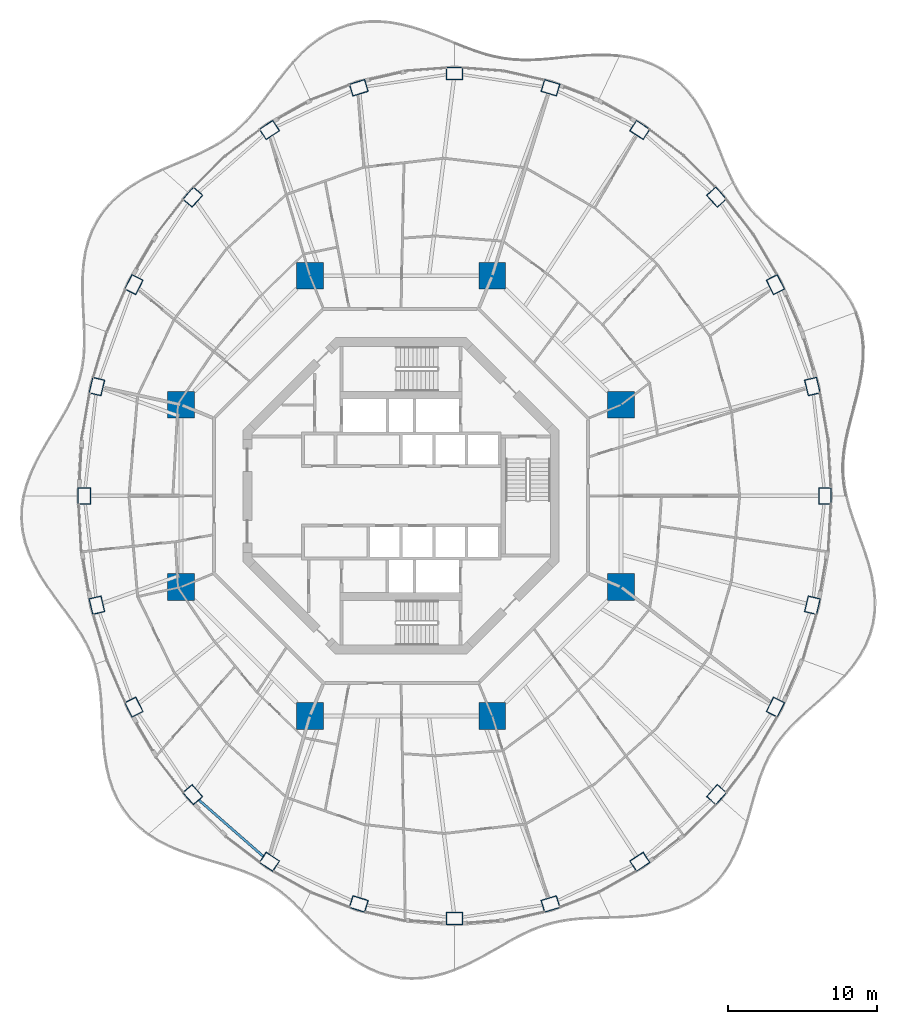
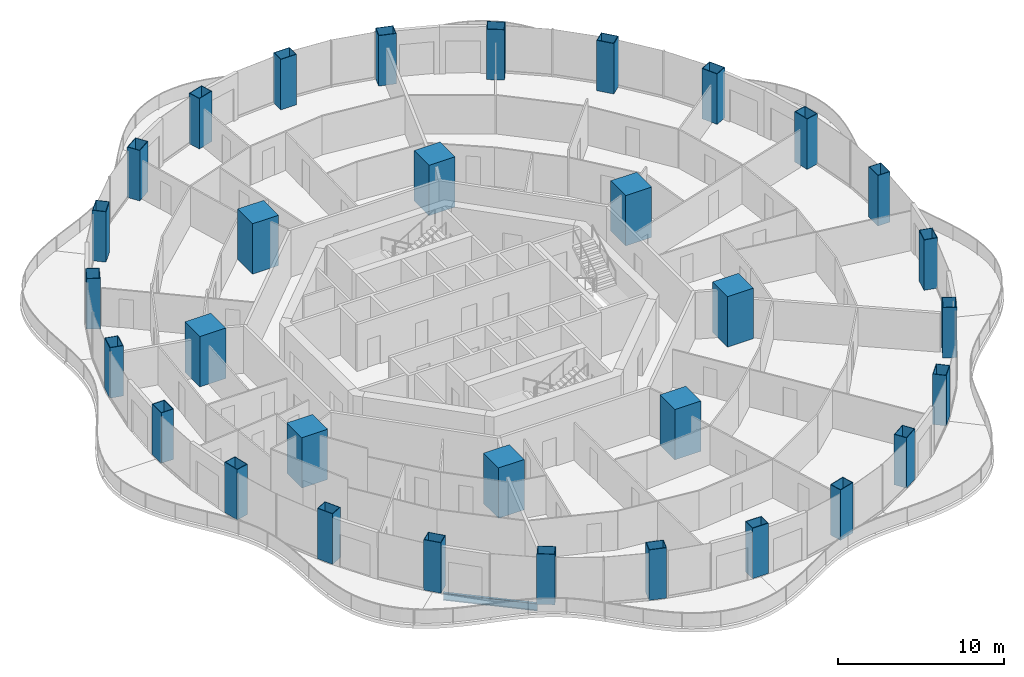
# One storey, part 1 of 19: 32 columns, 1 beam.
"""IFC4 building model written with IfcOpenShell, lengths in metres."""

from ifc_helpers import new_model, si_unit, direction, frame, origin, origin_2d, place, context, subcontext, project, spatial, rectangle, hollow_rectangle, i_section, extrude, material, material_profile, profile_set, type_object, element, save


model = new_model("IFC4")

# Units and contexts
model_context = context("Model", 3, precision=1e-05, world=origin(), true_north=direction((0.0, 1.0)))
body_context = subcontext(model_context, "Body", "Model", "MODEL_VIEW")
ifc_project = project(units=[si_unit("LENGTHUNIT", "METRE"), si_unit("AREAUNIT", "SQUARE_METRE"), si_unit("VOLUMEUNIT", "CUBIC_METRE"), si_unit("PLANEANGLEUNIT", "RADIAN"), si_unit("MASSUNIT", "GRAM", prefix="KILO")], contexts=[model_context])

# Site, building, storey
site_placement = place(None, origin())
site = spatial("IfcSite", under=ifc_project, at=site_placement, CompositionType="ELEMENT")
building_placement = place(site_placement, origin())
building = spatial("IfcBuilding", under=site, at=building_placement, Name="Nagisa Residences", CompositionType="ELEMENT")
storey_placement = place(building_placement, frame((0.0, 0.0, 173.300048828125)))
storey = spatial("IfcBuildingStorey", under=building, at=storey_placement, Name="L43", CompositionType="ELEMENT", Elevation=173.300048828125)

# Columns
ifc_material_1 = material(Name="Concrete C80", Category="concrete")
ifc_material_profile_1 = material_profile(ifc_material_1, rectangle(XDim=1.800048828125, YDim=1.800048828125, at=origin_2d()), Name="C80 1800x1800")
ifc_profile_set_1 = profile_set([ifc_material_profile_1], Name="Concrete C80")
column_type_1 = type_object("IfcColumnType", Name="Inner megacolumn C80 1800x1800", PredefinedType="COLUMN", material=ifc_profile_set_1)
for number, where, z_axis, x_axis, name in (
    (1, (14.781982421875, 6.123046875, 0.0), (0.0, 0.0, 1.0), (1.0, 0.0, 0.0), "col:L43:i1"),
    (2, (6.123046875, 14.781982421875, 0.0), (0.0, 0.0, 1.0), (1.0, 0.0, 0.0), "col:L43:i2"),
    (3, (-6.123046875, 14.781982421875, 0.0), (0.0, 0.0, 1.0), (1.0, 0.0, 0.0), "col:L43:i3"),
    (4, (-14.781982421875, 6.123046875, 0.0), (0.0, 0.0, 1.0), (1.0, 0.0, 0.0), "col:L43:i4"),
    (5, (-14.781982421875, -6.123046875, 0.0), (0.0, 0.0, 1.0), (1.0, 0.0, 0.0), "col:L43:i5"),
    (6, (-6.123046875, -14.781982421875, 0.0), (0.0, 0.0, 1.0), (1.0, 0.0, 0.0), "col:L43:i6"),
    (7, (6.123046875, -14.781982421875, 0.0), (0.0, 0.0, 1.0), (1.0, 0.0, 0.0), "col:L43:i7"),
    (8, (14.781982421875, -6.123046875, 0.0), (0.0, 0.0, 1.0), (1.0, 0.0, 0.0), "col:L43:i8"),
):
    element("IfcColumn", number, at=place(storey_placement, frame(where, z_axis=z_axis, x_axis=x_axis)), inside=storey, type_object=column_type_1, Name=name, PredefinedType="COLUMN", context=body_context, shape_type="SweptSolid", body=[
        extrude(rectangle(XDim=1.800048828125, YDim=1.800048828125, at=origin_2d()), origin(), (0.0, 0.0, 1.0), 3.699951171875),
    ])
ifc_material_2 = material(Name="Steel ASTM A572 Gr 50", Category="steel")
ifc_material_profile_2 = material_profile(ifc_material_2, hollow_rectangle(XDim=1.10009765625, YDim=0.85009765625, WallThickness=0.035888671875, at=origin_2d()), Name="BX 1100x850x36")
ifc_profile_set_2 = profile_set([ifc_material_profile_2], Name="Steel ASTM A572 Gr 50")
column_type_2 = type_object("IfcColumnType", Name="Perimeter column BX 1100x850x36", PredefinedType="COLUMN", material=ifc_profile_set_2)
for number, where, z_axis, x_axis, name in (
    (9, (28.47509765625, 0.0, 0.0), (0.0, 0.0, 1.0), (0.0, 1.0, 0.0), "col:L43:p00"),
    (10, (27.62744140625, 7.343994140625, 0.0), (0.0, 0.0, 1.0), (-0.229202013103, 0.973378876486, 0.0), "col:L43:p01"),
    (11, (25.142333984375, 14.1875, 0.0), (0.0, 0.0, 1.0), (-0.452462697578, 0.891783329795, 0.0), "col:L43:p02"),
    (12, (21.189208984375, 20.064208984375, 0.0), (0.0, 0.0, 1.0), (-0.660114607735, 0.751164898445, 0.0), "col:L43:p03"),
    (13, (16.03759765625, 24.573486328125, 0.0), (0.0, 0.0, 1.0), (-0.835766105673, 0.54908561865, 0.0), "col:L43:p04"),
    (14, (10.0380859375, 27.408203125, 0.0), (0.0, 0.0, 1.0), (-0.956524583408, 0.291651712384, 0.0), "col:L43:p05"),
    (15, (3.60009765625, 28.375, 0.0), (0.0, 0.0, 1.0), (-1.0, 0.0, 0.0), "col:L43:p06"),
    (16, (-2.838134765625, 27.408203125, 0.0), (0.0, 0.0, 1.0), (-0.956524583408, -0.291651712384, 0.0), "col:L43:p07"),
    (17, (-8.83740234375, 24.573486328125, 0.0), (0.0, 0.0, 1.0), (-0.835766105673, -0.54908561865, 0.0), "col:L43:p08"),
    (18, (-13.9892578125, 20.064208984375, 0.0), (0.0, 0.0, 1.0), (-0.660114607735, -0.751164898445, 0.0), "col:L43:p09"),
    (19, (-17.9423828125, 14.1875, 0.0), (0.0, 0.0, 1.0), (-0.452462697578, -0.891783329795, 0.0), "col:L43:p10"),
    (20, (-20.427490234375, 7.343994140625, 0.0), (0.0, 0.0, 1.0), (-0.229202013103, -0.973378876486, 0.0), "col:L43:p11"),
    (21, (-21.27490234375, 0.0, 0.0), (0.0, 0.0, 1.0), (0.0, -1.0, 0.0), "col:L43:p12"),
    (22, (-20.427490234375, -7.343994140625, 0.0), (0.0, 0.0, 1.0), (0.229202013103, -0.973378876486, 0.0), "col:L43:p13"),
    (23, (-17.9423828125, -14.1875, 0.0), (0.0, 0.0, 1.0), (0.452462697578, -0.891783329795, 0.0), "col:L43:p14"),
    (24, (-13.9892578125, -20.064208984375, 0.0), (0.0, 0.0, 1.0), (0.660114607735, -0.751164898445, 0.0), "col:L43:p15"),
    (25, (-8.83740234375, -24.573486328125, 0.0), (0.0, 0.0, 1.0), (0.835766105673, -0.54908561865, 0.0), "col:L43:p16"),
    (26, (-2.838134765625, -27.408203125, 0.0), (0.0, 0.0, 1.0), (0.956524583408, -0.291651712384, 0.0), "col:L43:p17"),
    (27, (3.60009765625, -28.375, 0.0), (0.0, 0.0, 1.0), (1.0, 0.0, 0.0), "col:L43:p18"),
    (28, (10.0380859375, -27.408203125, 0.0), (0.0, 0.0, 1.0), (0.956524583408, 0.291651712384, 0.0), "col:L43:p19"),
    (29, (16.03759765625, -24.573486328125, 0.0), (0.0, 0.0, 1.0), (0.835766105673, 0.54908561865, 0.0), "col:L43:p20"),
    (30, (21.189208984375, -20.064208984375, 0.0), (0.0, 0.0, 1.0), (0.660114607735, 0.751164898445, 0.0), "col:L43:p21"),
    (31, (25.142333984375, -14.1875, 0.0), (0.0, 0.0, 1.0), (0.452462697578, 0.891783329795, 0.0), "col:L43:p22"),
    (32, (27.62744140625, -7.343994140625, 0.0), (0.0, 0.0, 1.0), (0.229202013103, 0.973378876486, 0.0), "col:L43:p23"),
):
    element("IfcColumn", number, at=place(storey_placement, frame(where, z_axis=z_axis, x_axis=x_axis)), inside=storey, type_object=column_type_2, Name=name, PredefinedType="COLUMN", context=body_context, shape_type="SweptSolid", body=[
        extrude(hollow_rectangle(XDim=1.10009765625, YDim=0.85009765625, WallThickness=0.035888671875, at=origin_2d()), origin(), (0.0, 0.0, 1.0), 3.699951171875),
    ])

# Beam
ifc_material_3 = material(Name="Steel ASTM A572 Gr 50", Category="steel")
ifc_material_profile_3 = material_profile(ifc_material_3, i_section(OverallWidth=0.166015625, OverallDepth=0.534912109375, WebThickness=0.01025390625, FlangeThickness=0.0166015625, at=origin_2d()), Name="W530x85")
ifc_profile_set_3 = profile_set([ifc_material_profile_3], Name="Steel ASTM A572 Gr 50")
beam_type = type_object("IfcBeamType", Name="Perimeter ring beam W530x85", PredefinedType="BEAM", material=ifc_profile_set_3)
beam_placement = place(storey_placement, frame((-13.5869140625, -20.416259765625, -0.527587890625), z_axis=(0.752461486776, -0.658636250838, 0.0), x_axis=(0.658636250838, 0.752461486776, 0.0)))
element("IfcBeam", 33, at=beam_placement, inside=storey, type_object=beam_type, Name="beam:L43:pb16", PredefinedType="BEAM", context=body_context, shape_type="SweptSolid", body=[
    extrude(i_section(OverallWidth=0.166015625, OverallDepth=0.534912109375, WebThickness=0.01025390625, FlangeThickness=0.0166015625, at=origin_2d()), origin(), (0.0, 0.0, 1.0), 5.776611328125),
])

save(model, "model.ifc")
